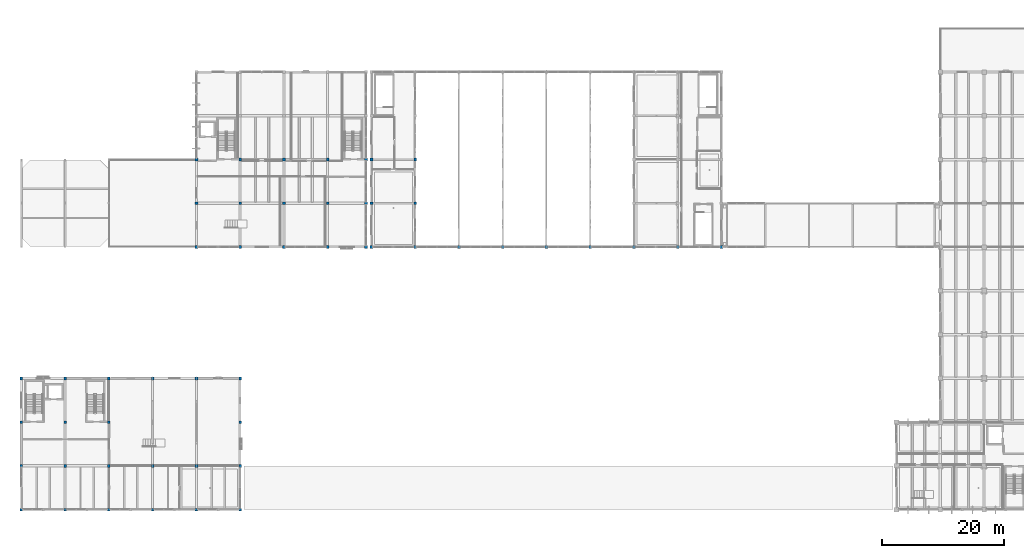
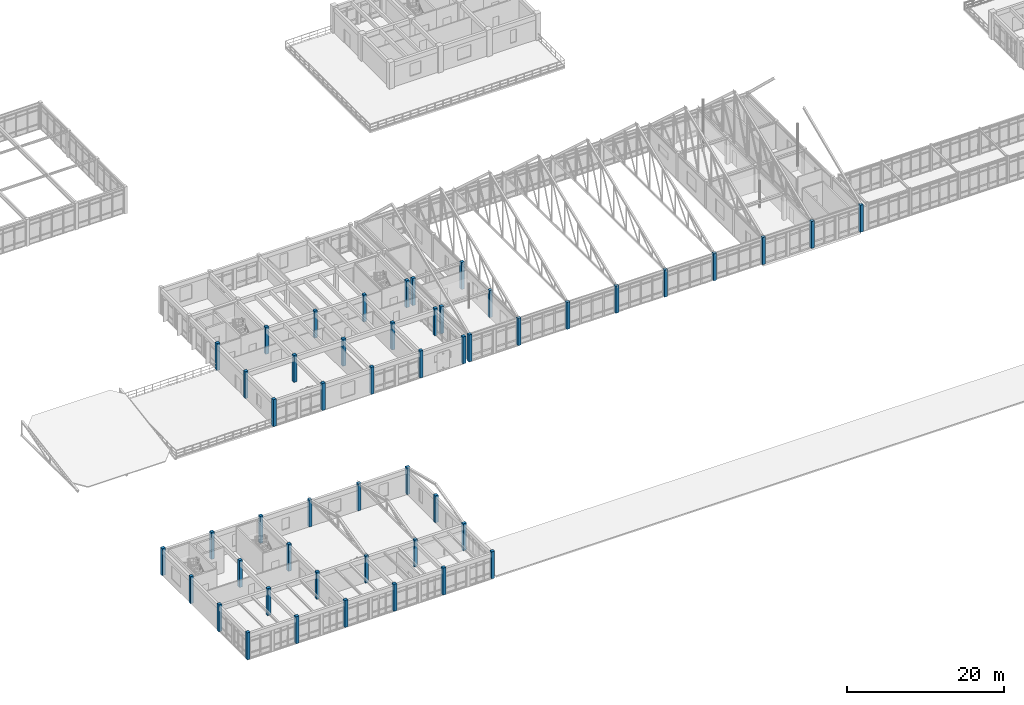
# One storey, part 1 of 136: 50 columns.
"""IFC4 building model written with IfcOpenShell, lengths in metres."""

from ifc_helpers import new_model, si_unit, direction, frame, origin, origin_2d, place, context, subcontext, project, spatial, rectangle, extrude, material, material_profile, profile_set, type_object, element, save


model = new_model("IFC4")

# Units and contexts
model_context = context("Model", 3, precision=1e-05, world=origin(), true_north=direction((0.0, 1.0)))
body_context = subcontext(model_context, "Body", "Model", "MODEL_VIEW")
ifc_project = project(units=[si_unit("LENGTHUNIT", "METRE"), si_unit("AREAUNIT", "SQUARE_METRE"), si_unit("VOLUMEUNIT", "CUBIC_METRE"), si_unit("PLANEANGLEUNIT", "RADIAN"), si_unit("MASSUNIT", "GRAM", prefix="KILO")], contexts=[model_context])

# Site, building, storey
site_placement = place(None, origin())
site = spatial("IfcSite", under=ifc_project, at=site_placement, CompositionType="ELEMENT")
building_placement = place(site_placement, origin())
building = spatial("IfcBuilding", under=site, at=building_placement, Name="Koriwan Promenade Central Fire Station", CompositionType="ELEMENT")
storey_placement = place(building_placement, frame((0.0, 0.0, 5.39990234375)))
storey = spatial("IfcBuildingStorey", under=building, at=storey_placement, Name="L01", CompositionType="ELEMENT", Elevation=5.39990234375)

# Columns
ifc_material = material(Name="Concrete C40/50", Category="concrete")
ifc_material_profile = material_profile(ifc_material, rectangle(XDim=0.449951171875, YDim=0.449951171875, at=origin_2d()), Name="RC-COL-450x450")
ifc_profile_set = profile_set([ifc_material_profile], Name="Concrete C40/50")
column_type = type_object("IfcColumnType", Name="Column_RC-COL-450x450", PredefinedType="COLUMN", material=ifc_profile_set)
for number, where, z_axis, x_axis, name in (
    (1, (57.60009765625, 43.199951171875, 0.0), (0.0, 0.0, 1.0), (1.0, 0.0, 0.0), "V1 L01 column (57.6, 43.2)"),
    (2, (57.60009765625, 50.39990234375, 0.0), (0.0, 0.0, 1.0), (1.0, 0.0, 0.0), "V1 L01 column (57.6, 50.4)"),
    (3, (57.60009765625, 57.60009765625, 0.0), (0.0, 0.0, 1.0), (1.0, 0.0, 0.0), "V1 L01 column (57.6, 57.6)"),
    (4, (64.800048828125, 43.199951171875, 0.0), (0.0, 0.0, 1.0), (1.0, 0.0, 0.0), "V1 L01 column (64.8, 43.2)"),
    (5, (64.800048828125, 50.39990234375, 0.0), (0.0, 0.0, 1.0), (1.0, 0.0, 0.0), "V1 L01 column (64.8, 50.4)"),
    (6, (64.800048828125, 57.60009765625, 0.0), (0.0, 0.0, 1.0), (1.0, 0.0, 0.0), "V1 L01 column (64.8, 57.6)"),
    (7, (72.0, 43.199951171875, 0.0), (0.0, 0.0, 1.0), (1.0, 0.0, 0.0), "V1 L01 column (72.0, 43.2)"),
    (8, (79.199951171875, 43.199951171875, 0.0), (0.0, 0.0, 1.0), (1.0, 0.0, 0.0), "V1 L01 column (79.2, 43.2)"),
    (9, (86.39990234375, 43.199951171875, 0.0), (0.0, 0.0, 1.0), (1.0, 0.0, 0.0), "V1 L01 column (86.4, 43.2)"),
    (10, (93.60009765625, 43.199951171875, 0.0), (0.0, 0.0, 1.0), (1.0, 0.0, 0.0), "V1 L01 column (93.6, 43.2)"),
    (11, (100.800048828125, 43.199951171875, 0.0), (0.0, 0.0, 1.0), (1.0, 0.0, 0.0), "V1 L01 column (100.8, 43.2)"),
    (12, (108.0, 43.199951171875, 0.0), (0.0, 0.0, 1.0), (1.0, 0.0, 0.0), "V1 L01 column (108.0, 43.2)"),
    (13, (115.199951171875, 43.199951171875, 0.0), (0.0, 0.0, 1.0), (1.0, 0.0, 0.0), "V1 L01 column (115.2, 43.2)"),
    (14, (0.0, 0.0, 0.0), (0.0, 0.0, 1.0), (1.0, 0.0, 0.0), "V3 L01 column (0.0, 0.0)"),
    (15, (0.0, 7.199951171875, 0.0), (0.0, 0.0, 1.0), (1.0, 0.0, 0.0), "V3 L01 column (0.0, 7.2)"),
    (16, (0.0, 14.39990234375, 0.0), (0.0, 0.0, 1.0), (1.0, 0.0, 0.0), "V3 L01 column (0.0, 14.4)"),
    (17, (0.0, 21.60009765625, 0.0), (0.0, 0.0, 1.0), (1.0, 0.0, 0.0), "V3 L01 column (0.0, 21.6)"),
    (18, (7.199951171875, 0.0, 0.0), (0.0, 0.0, 1.0), (1.0, 0.0, 0.0), "V3 L01 column (7.2, 0.0)"),
    (19, (7.199951171875, 7.199951171875, 0.0), (0.0, 0.0, 1.0), (1.0, 0.0, 0.0), "V3 L01 column (7.2, 7.2)"),
    (20, (7.199951171875, 14.39990234375, 0.0), (0.0, 0.0, 1.0), (1.0, 0.0, 0.0), "V3 L01 column (7.2, 14.4)"),
    (21, (7.199951171875, 21.60009765625, 0.0), (0.0, 0.0, 1.0), (1.0, 0.0, 0.0), "V3 L01 column (7.2, 21.6)"),
    (22, (14.39990234375, 0.0, 0.0), (0.0, 0.0, 1.0), (1.0, 0.0, 0.0), "V3 L01 column (14.4, 0.0)"),
    (23, (14.39990234375, 7.199951171875, 0.0), (0.0, 0.0, 1.0), (1.0, 0.0, 0.0), "V3 L01 column (14.4, 7.2)"),
    (24, (14.39990234375, 14.39990234375, 0.0), (0.0, 0.0, 1.0), (1.0, 0.0, 0.0), "V3 L01 column (14.4, 14.4)"),
    (25, (14.39990234375, 21.60009765625, 0.0), (0.0, 0.0, 1.0), (1.0, 0.0, 0.0), "V3 L01 column (14.4, 21.6)"),
    (26, (21.60009765625, 0.0, 0.0), (0.0, 0.0, 1.0), (1.0, 0.0, 0.0), "V3 L01 column (21.6, 0.0)"),
    (27, (21.60009765625, 7.199951171875, 0.0), (0.0, 0.0, 1.0), (1.0, 0.0, 0.0), "V3 L01 column (21.6, 7.2)"),
    (28, (21.60009765625, 21.60009765625, 0.0), (0.0, 0.0, 1.0), (1.0, 0.0, 0.0), "V3 L01 column (21.6, 21.6)"),
    (29, (28.800048828125, 0.0, 0.0), (0.0, 0.0, 1.0), (1.0, 0.0, 0.0), "V3 L01 column (28.8, 0.0)"),
    (30, (28.800048828125, 7.199951171875, 0.0), (0.0, 0.0, 1.0), (1.0, 0.0, 0.0), "V3 L01 column (28.8, 7.2)"),
    (31, (28.800048828125, 21.60009765625, 0.0), (0.0, 0.0, 1.0), (1.0, 0.0, 0.0), "V3 L01 column (28.8, 21.6)"),
    (32, (36.0, 0.0, 0.0), (0.0, 0.0, 1.0), (1.0, 0.0, 0.0), "V3 L01 column (36.0, 0.0)"),
    (33, (36.0, 7.199951171875, 0.0), (0.0, 0.0, 1.0), (1.0, 0.0, 0.0), "V3 L01 column (36.0, 7.2)"),
    (34, (36.0, 14.39990234375, 0.0), (0.0, 0.0, 1.0), (1.0, 0.0, 0.0), "V3 L01 column (36.0, 14.4)"),
    (35, (36.0, 21.60009765625, 0.0), (0.0, 0.0, 1.0), (1.0, 0.0, 0.0), "V3 L01 column (36.0, 21.6)"),
    (36, (28.800048828125, 43.199951171875, 0.0), (0.0, 0.0, 1.0), (1.0, 0.0, 0.0), "V4 L01 column (28.8, 43.2)"),
    (37, (28.800048828125, 50.39990234375, 0.0), (0.0, 0.0, 1.0), (1.0, 0.0, 0.0), "V4 L01 column (28.8, 50.4)"),
    (38, (28.800048828125, 57.60009765625, 0.0), (0.0, 0.0, 1.0), (1.0, 0.0, 0.0), "V4 L01 column (28.8, 57.6)"),
    (39, (36.0, 43.199951171875, 0.0), (0.0, 0.0, 1.0), (1.0, 0.0, 0.0), "V4 L01 column (36.0, 43.2)"),
    (40, (36.0, 50.39990234375, 0.0), (0.0, 0.0, 1.0), (1.0, 0.0, 0.0), "V4 L01 column (36.0, 50.4)"),
    (41, (36.0, 57.60009765625, 0.0), (0.0, 0.0, 1.0), (1.0, 0.0, 0.0), "V4 L01 column (36.0, 57.6)"),
    (42, (43.199951171875, 43.199951171875, 0.0), (0.0, 0.0, 1.0), (1.0, 0.0, 0.0), "V4 L01 column (43.2, 43.2)"),
    (43, (43.199951171875, 50.39990234375, 0.0), (0.0, 0.0, 1.0), (1.0, 0.0, 0.0), "V4 L01 column (43.2, 50.4)"),
    (44, (43.199951171875, 57.60009765625, 0.0), (0.0, 0.0, 1.0), (1.0, 0.0, 0.0), "V4 L01 column (43.2, 57.6)"),
    (45, (50.39990234375, 43.199951171875, 0.0), (0.0, 0.0, 1.0), (1.0, 0.0, 0.0), "V4 L01 column (50.4, 43.2)"),
    (46, (50.39990234375, 50.39990234375, 0.0), (0.0, 0.0, 1.0), (1.0, 0.0, 0.0), "V4 L01 column (50.4, 50.4)"),
    (47, (50.39990234375, 57.60009765625, 0.0), (0.0, 0.0, 1.0), (1.0, 0.0, 0.0), "V4 L01 column (50.4, 57.6)"),
    (48, (56.699951171875, 43.199951171875, 0.0), (0.0, 0.0, 1.0), (1.0, 0.0, 0.0), "V4 L01 column (56.7, 43.2)"),
    (49, (56.699951171875, 50.39990234375, 0.0), (0.0, 0.0, 1.0), (1.0, 0.0, 0.0), "V4 L01 column (56.7, 50.4)"),
    (50, (56.699951171875, 57.60009765625, 0.0), (0.0, 0.0, 1.0), (1.0, 0.0, 0.0), "V4 L01 column (56.7, 57.6)"),
):
    element("IfcColumn", number, at=place(storey_placement, frame(where, z_axis=z_axis, x_axis=x_axis)), inside=storey, type_object=column_type, Name=name, PredefinedType="COLUMN", context=body_context, shape_type="SweptSolid", body=[
        extrude(rectangle(XDim=0.449951171875, YDim=0.449951171875, at=origin_2d()), origin(), (0.0, 0.0, 1.0), 4.2001953125),
    ])

save(model, "model.ifc")
